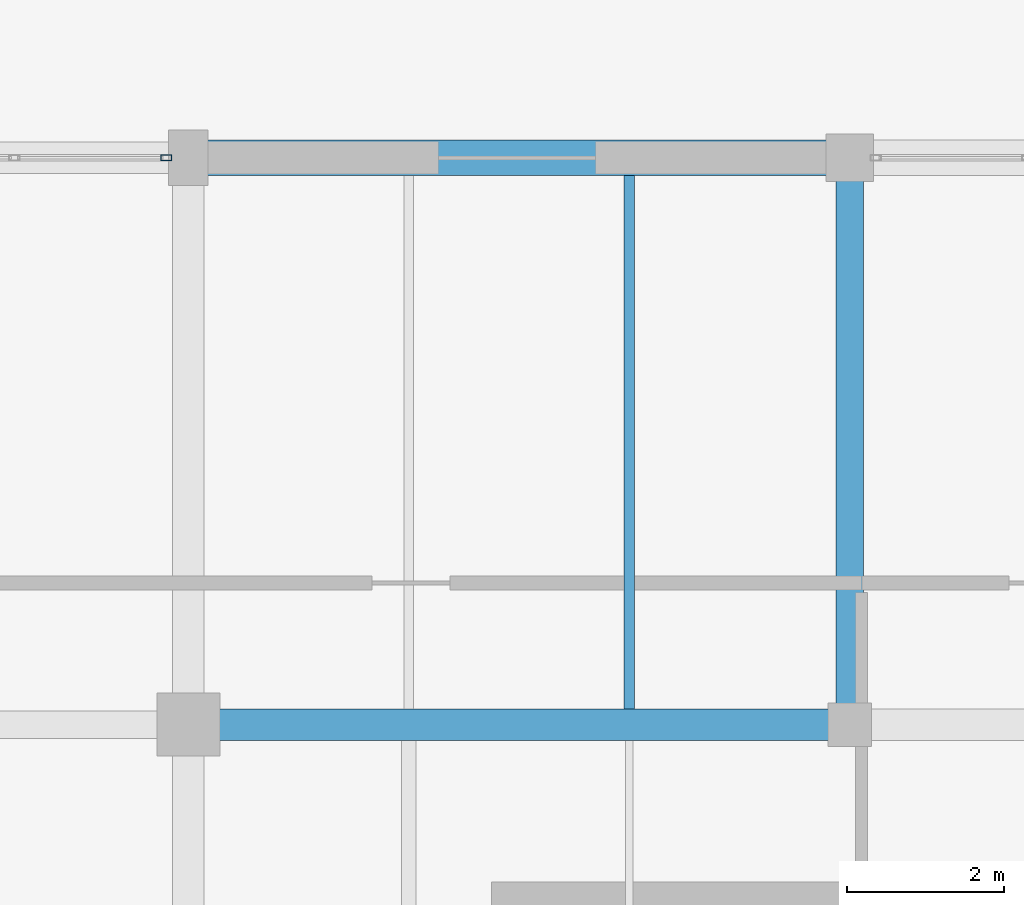
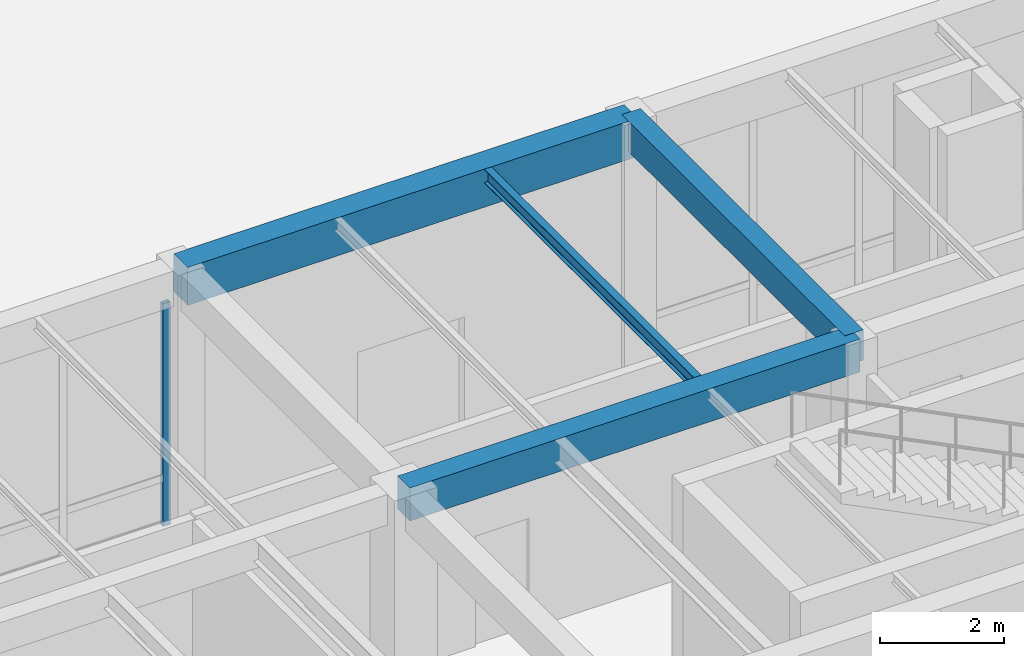
# One storey, part 52 of 169: 4 beams, 1 member, 1 element without a shape of its own.
"""IFC4 building model written with IfcOpenShell, lengths in metres."""

from ifc_helpers import new_model, si_unit, direction, frame, origin, origin_2d, place, context, subcontext, project, spatial, rectangle, hollow_rectangle, i_section, extrude, material, layer, layer_set, material_profile, profile_set, type_object, element, aggregate, save


model = new_model("IFC4")

# Units and contexts
model_context = context("Model", 3, precision=1e-05, world=origin(), true_north=direction((0.0, 1.0)))
body_context = subcontext(model_context, "Body", "Model", "MODEL_VIEW")
ifc_project = project(units=[si_unit("LENGTHUNIT", "METRE"), si_unit("AREAUNIT", "SQUARE_METRE"), si_unit("VOLUMEUNIT", "CUBIC_METRE"), si_unit("PLANEANGLEUNIT", "RADIAN"), si_unit("MASSUNIT", "GRAM", prefix="KILO")], contexts=[model_context])

# Site, building, storey
site_placement = place(None, origin())
site = spatial("IfcSite", under=ifc_project, at=site_placement, CompositionType="ELEMENT")
building_placement = place(site_placement, origin())
building = spatial("IfcBuilding", under=site, at=building_placement, Name="Mazaris Harbour Polytechnic", CompositionType="ELEMENT")
storey_placement = place(building_placement, origin())
storey = spatial("IfcBuildingStorey", under=building, at=storey_placement, Name="L00", CompositionType="ELEMENT", Elevation=0.0)

# Curtain wall, member
ifc_material_1 = material(Name="Anodised Bronze Aluminium and Low-E Glass", Category="aluminium")
ifc_layer = layer(ifc_material_1, 0.159912109375, Name="Anodised Bronze Aluminium and Low-E Glass")
ifc_layer_set = layer_set([ifc_layer], Name="Anodised Bronze Aluminium and Low-E Glass")
curtain_wall_type = type_object("IfcCurtainWallType", Name="Cloister Court Curtain Wall", PredefinedType="NOTDEFINED", material=ifc_layer_set)
curtain_wall_placement = place(storey_placement, origin())
curtain_wall = element("IfcCurtainWall", 1, at=curtain_wall_placement, inside=storey, type_object=curtain_wall_type, Name="V3 L00 Curtain Wall 66", PredefinedType="NOTDEFINED")
ifc_material_2 = material(Name="Anodised Bronze Steel S355", Category="steel")
ifc_material_profile_1 = material_profile(ifc_material_2, hollow_rectangle(XDim=0.080078125, YDim=0.139892578125, WallThickness=0.00634765625, at=origin_2d()), Name="RHS 80x140x6.3")
ifc_profile_set_1 = profile_set([ifc_material_profile_1], Name="Anodised Bronze Steel S355")
member_type = type_object("IfcMemberType", Name="Curtain Mullion RHS80x140", PredefinedType="MULLION", material=ifc_profile_set_1)
member_placement = place(storey_placement, frame((95.718017578125, 36.0, 0.0), z_axis=(0.0, 0.0, 1.0), x_axis=(0.0, 1.0, 0.0)))
member = element("IfcMember", 2, at=member_placement, type_object=member_type, Name="CW-02 mullion 5", PredefinedType="MULLION", context=body_context, shape_type="SweptSolid", body=[
    extrude(hollow_rectangle(XDim=0.080078125, YDim=0.139892578125, WallThickness=0.00634765625, at=origin_2d()), origin(), (0.0, 0.0, 1.0), 4.389892578125),
])
aggregate(curtain_wall, [member])

# Beams
ifc_material_3 = material(Name="Concrete C35/45", Category="concrete")
ifc_material_profile_2 = material_profile(ifc_material_3, rectangle(XDim=0.35009765625, YDim=0.60009765625, at=origin_2d()), Name="RECT350x600")
ifc_profile_set_2 = profile_set([ifc_material_profile_2], Name="Concrete C35/45")
beam_type_1 = type_object("IfcBeamType", Name="RC Girder 350x600", PredefinedType="BEAM", material=ifc_profile_set_2)
beam_1_placement = place(storey_placement, frame((104.39990234375, 28.800048828125, 4.800048828125), z_axis=(0.0, 1.0, 0.0), x_axis=(-1.0, 0.0, 0.0)))
element("IfcBeam", 3, at=beam_1_placement, inside=storey, type_object=beam_type_1, Name="V3 L00 Tie Girder 915", PredefinedType="BEAM", context=body_context, shape_type="SweptSolid", body=[
    extrude(rectangle(XDim=0.35009765625, YDim=0.60009765625, at=origin_2d()), origin(), (0.0, 0.0, 1.0), 7.199951171875),
])
ifc_material_4 = material(Name="Concrete C35/45", Category="concrete")
ifc_material_profile_3 = material_profile(ifc_material_4, rectangle(XDim=0.39990234375, YDim=0.64990234375, at=origin_2d()), Name="RECT400x650")
ifc_profile_set_3 = profile_set([ifc_material_profile_3], Name="Concrete C35/45")
beam_type_2 = type_object("IfcBeamType", Name="RC Girder 400x650", PredefinedType="BEAM", material=ifc_profile_set_3)
beam_2_placement = place(storey_placement, frame((96.0, 28.800048828125, 4.77490234375), z_axis=(1.0, 0.0, 0.0), x_axis=(0.0, 1.0, 0.0)))
element("IfcBeam", 4, at=beam_2_placement, inside=storey, type_object=beam_type_2, Name="V3 L00 Girder 881", PredefinedType="BEAM", context=body_context, shape_type="SweptSolid", body=[
    extrude(rectangle(XDim=0.39990234375, YDim=0.64990234375, at=origin_2d()), origin(), (0.0, 0.0, 1.0), 8.39990234375),
])
ifc_material_5 = material(Name="Concrete C40/50", Category="concrete")
ifc_material_profile_4 = material_profile(ifc_material_5, rectangle(XDim=0.449951171875, YDim=0.75, at=origin_2d()), Name="RECT450x750")
ifc_profile_set_4 = profile_set([ifc_material_profile_4], Name="Concrete C40/50")
beam_type_3 = type_object("IfcBeamType", Name="RC Girder 450x750 Exterior", PredefinedType="BEAM", material=ifc_profile_set_4)
beam_3_placement = place(storey_placement, frame((96.0, 36.0, 4.72509765625), z_axis=(1.0, 0.0, 0.0), x_axis=(0.0, 1.0, 0.0)))
element("IfcBeam", 5, at=beam_3_placement, inside=storey, type_object=beam_type_3, Name="V3 L00 Girder 888", PredefinedType="BEAM", context=body_context, shape_type="SweptSolid", body=[
    extrude(rectangle(XDim=0.449951171875, YDim=0.75, at=origin_2d()), origin(), (0.0, 0.0, 1.0), 8.39990234375),
])
ifc_material_6 = material(Name="Steel S355", Category="steel")
ifc_material_profile_5 = material_profile(ifc_material_6, i_section(OverallWidth=0.135009765625, OverallDepth=0.27001953125, WebThickness=0.006591796875, FlangeThickness=0.01025390625, FilletRadius=0.014892578125, at=origin_2d()), Name="IPE 270")
ifc_profile_set_5 = profile_set([ifc_material_profile_5], Name="Steel S355")
beam_type_4 = type_object("IfcBeamType", Name="Steel Joist IPE270", PredefinedType="JOIST", material=ifc_profile_set_5)
beam_4_placement = place(storey_placement, frame((101.60009765625, 29.0, 4.965087890625), z_axis=(0.0, 1.0, 0.0), x_axis=(-1.0, 0.0, 0.0)))
element("IfcBeam", 6, at=beam_4_placement, inside=storey, type_object=beam_type_4, Name="V3 L00 Floor Joist 961", PredefinedType="JOIST", context=body_context, shape_type="SweptSolid", body=[
    extrude(i_section(OverallWidth=0.135009765625, OverallDepth=0.27001953125, WebThickness=0.006591796875, FlangeThickness=0.01025390625, FilletRadius=0.014892578125, at=origin_2d()), origin(), (0.0, 0.0, 1.0), 6.77490234375),
])

save(model, "model.ifc")
